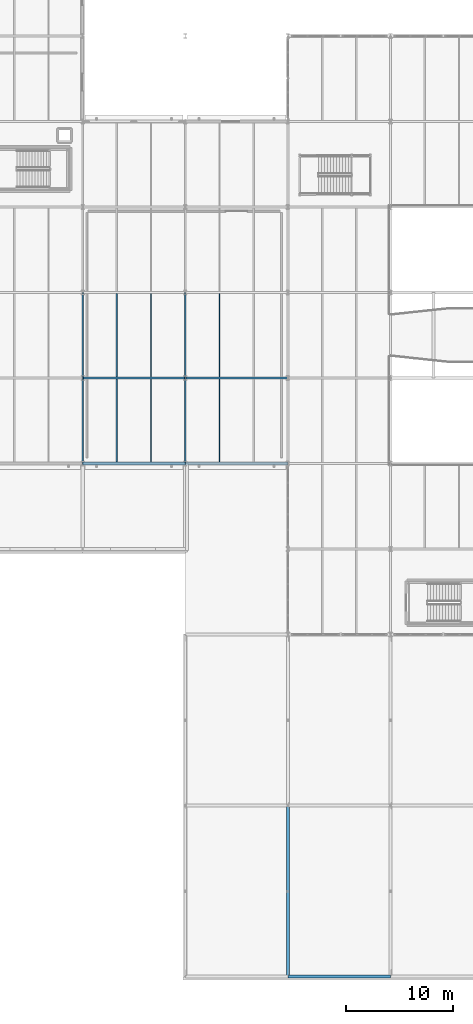
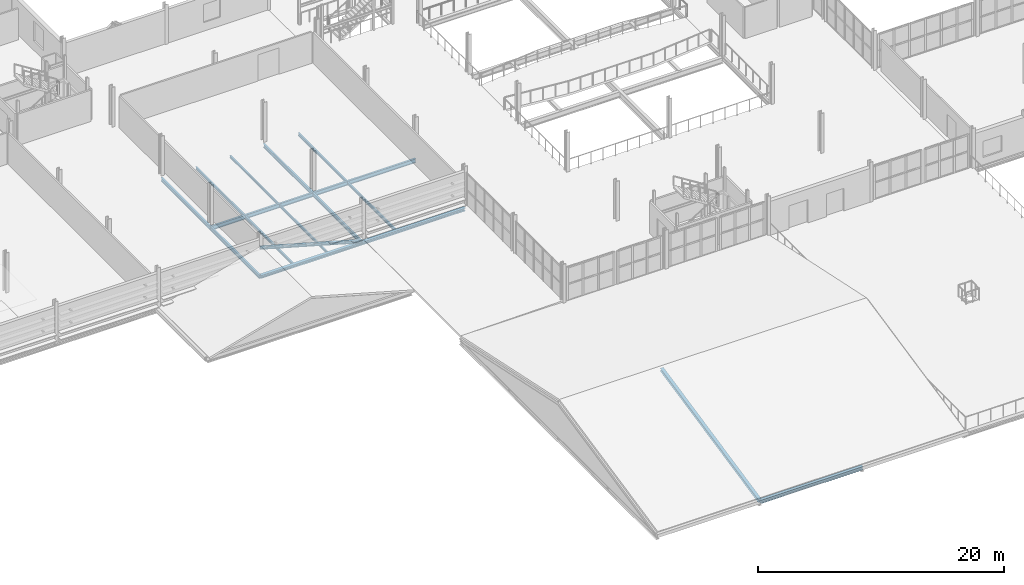
# One storey, part 30 of 85: 15 beams, 2 members.
"""IFC4 building model written with IfcOpenShell, lengths in metres."""

from ifc_helpers import new_model, si_unit, direction, frame, origin, origin_2d, place, context, subcontext, project, spatial, i_section, extrude, material, material_profile, profile_set, type_object, element, save


model = new_model("IFC4")

# Units and contexts
model_context = context("Model", 3, precision=1e-05, world=origin(), true_north=direction((0.0, 1.0)))
body_context = subcontext(model_context, "Body", "Model", "MODEL_VIEW")
ifc_project = project(units=[si_unit("LENGTHUNIT", "METRE"), si_unit("AREAUNIT", "SQUARE_METRE"), si_unit("VOLUMEUNIT", "CUBIC_METRE"), si_unit("PLANEANGLEUNIT", "RADIAN"), si_unit("MASSUNIT", "GRAM", prefix="KILO")], contexts=[model_context])

# Site, building, storey
site_placement = place(None, origin())
site = spatial("IfcSite", under=ifc_project, at=site_placement, CompositionType="ELEMENT")
building_placement = place(site_placement, origin())
building = spatial("IfcBuilding", under=site, at=building_placement, Name="Alderhovde Museum", CompositionType="ELEMENT")
storey_placement = place(building_placement, frame((0.0, 0.0, 8.699951171875)))
storey = spatial("IfcBuildingStorey", under=building, at=storey_placement, Name="L02", CompositionType="ELEMENT", Elevation=8.699951171875)

# Beams
ifc_material_1 = material(Name="Steel S355J2", Category="steel")
ifc_material_profile_1 = material_profile(ifc_material_1, i_section(OverallWidth=0.300048828125, OverallDepth=0.330078125, WebThickness=0.009521484375, FlangeThickness=0.0166015625, FilletRadius=0.027099609375, at=origin_2d()), Name="HEA 340")
ifc_profile_set_1 = profile_set([ifc_material_profile_1], Name="Steel S355J2")
beam_type_1 = type_object("IfcBeamType", Name="BM-HEA340", PredefinedType="BEAM", material=ifc_profile_set_1)
beam_1_placement = place(storey_placement, frame((76.800048828125, 0.0, -0.300048828125), z_axis=(1.0, 0.0, 0.0), x_axis=(0.0, 1.0, 0.0)))
element("IfcBeam", 1, at=beam_1_placement, inside=storey, type_object=beam_type_1, Name="Auditorium Roof Purlin Beam Y=0", PredefinedType="BEAM", context=body_context, shape_type="SweptSolid", body=[
    extrude(i_section(OverallWidth=0.300048828125, OverallDepth=0.330078125, WebThickness=0.009521484375, FlangeThickness=0.0166015625, FilletRadius=0.027099609375, at=origin_2d()), origin(), (0.0, 0.0, 1.0), 9.599853515625),
])
ifc_material_2 = material(Name="Steel S355J2", Category="steel")
ifc_material_profile_2 = material_profile(ifc_material_2, i_section(OverallWidth=0.169921875, OverallDepth=0.360107421875, WebThickness=0.008056640625, FlangeThickness=0.0126953125, FilletRadius=0.01806640625, at=origin_2d()), Name="IPE 360")
ifc_profile_set_2 = profile_set([ifc_material_profile_2], Name="Steel S355J2")
beam_type_2 = type_object("IfcBeamType", Name="BM-IPE360", PredefinedType="BEAM", material=ifc_profile_set_2)
for number, where, z_axis, x_axis, name in (
    (2, (57.60009765625, 48.0, -0.43994140625), (0.0, 1.0, 0.0), (-1.0, 0.0, 0.0), "L02 Grid Beam X=57.6 (48.0 TO 56.0)"),
    (3, (57.60009765625, 56.0, -0.43994140625), (0.0, 1.0, 0.0), (-1.0, 0.0, 0.0), "L02 Grid Beam X=57.6 (56.0 TO 64.0)"),
    (4, (67.199951171875, 48.0, -0.43994140625), (0.0, 1.0, 0.0), (-1.0, 0.0, 0.0), "L02 Grid Beam X=67.2 (48.0 TO 56.0)"),
    (5, (67.199951171875, 56.0, -0.43994140625), (0.0, 1.0, 0.0), (-1.0, 0.0, 0.0), "L02 Grid Beam X=67.2 (56.0 TO 64.0)"),
):
    element("IfcBeam", number, at=place(storey_placement, frame(where, z_axis=z_axis, x_axis=x_axis)), inside=storey, type_object=beam_type_2, Name=name, PredefinedType="BEAM", context=body_context, shape_type="SweptSolid", body=[
        extrude(i_section(OverallWidth=0.169921875, OverallDepth=0.360107421875, WebThickness=0.008056640625, FlangeThickness=0.0126953125, FilletRadius=0.01806640625, at=origin_2d()), origin(), (0.0, 0.0, 1.0), 8.0),
    ])
ifc_material_3 = material(Name="Steel S355J2", Category="steel")
ifc_material_profile_3 = material_profile(ifc_material_3, i_section(OverallWidth=0.179931640625, OverallDepth=0.39990234375, WebThickness=0.008544921875, FlangeThickness=0.013427734375, FilletRadius=0.02099609375, at=origin_2d()), Name="IPE 400")
ifc_profile_set_3 = profile_set([ifc_material_profile_3], Name="Steel S355J2")
beam_type_3 = type_object("IfcBeamType", Name="BM-IPE400", PredefinedType="BEAM", material=ifc_profile_set_3)
beam_2_placement = place(storey_placement, frame((57.60009765625, 56.0, -0.4599609375), z_axis=(1.0, 0.0, 0.0), x_axis=(0.0, 1.0, 0.0)))
element("IfcBeam", 6, at=beam_2_placement, inside=storey, type_object=beam_type_3, Name="L02 Grid Beam Y=56.0 (57.6 TO 67.2)", PredefinedType="BEAM", context=body_context, shape_type="SweptSolid", body=[
    extrude(i_section(OverallWidth=0.179931640625, OverallDepth=0.39990234375, WebThickness=0.008544921875, FlangeThickness=0.013427734375, FilletRadius=0.02099609375, at=origin_2d()), origin(), (0.0, 0.0, 1.0), 9.599853515625),
])
beam_3_placement = place(storey_placement, frame((67.199951171875, 56.0, -0.4599609375), z_axis=(1.0, 0.0, 0.0), x_axis=(0.0, 1.0, 0.0)))
element("IfcBeam", 7, at=beam_3_placement, inside=storey, type_object=beam_type_3, Name="L02 Grid Beam Y=56.0 (67.2 TO 76.8)", PredefinedType="BEAM", context=body_context, shape_type="SweptSolid", body=[
    extrude(i_section(OverallWidth=0.179931640625, OverallDepth=0.39990234375, WebThickness=0.008544921875, FlangeThickness=0.013427734375, FilletRadius=0.02099609375, at=origin_2d()), origin(), (0.0, 0.0, 1.0), 9.60009765625),
])
ifc_material_4 = material(Name="Steel S355J2", Category="steel")
ifc_material_profile_4 = material_profile(ifc_material_4, i_section(OverallWidth=0.1201171875, OverallDepth=0.239990234375, WebThickness=0.006103515625, FlangeThickness=0.009765625, FilletRadius=0.014892578125, at=origin_2d()), Name="IPE 240")
ifc_profile_set_4 = profile_set([ifc_material_profile_4], Name="Steel S355J2")
beam_type_4 = type_object("IfcBeamType", Name="JST-IPE240", PredefinedType="JOIST", material=ifc_profile_set_4)
beam_4_placement = place(storey_placement, frame((64.0, 48.14990234375, -0.3798828125), z_axis=(0.0, 1.0, 0.0), x_axis=(-1.0, 0.0, 0.0)))
element("IfcBeam", 8, at=beam_4_placement, inside=storey, type_object=beam_type_4, Name="L02 Composite Joist X=64.0 (48.0 TO 56.0)", PredefinedType="JOIST", context=body_context, shape_type="SweptSolid", body=[
    extrude(i_section(OverallWidth=0.1201171875, OverallDepth=0.239990234375, WebThickness=0.006103515625, FlangeThickness=0.009765625, FilletRadius=0.014892578125, at=origin_2d()), origin(), (0.0, 0.0, 1.0), 7.760009765625),
])
beam_5_placement = place(storey_placement, frame((64.0, 56.090087890625, -0.3798828125), z_axis=(0.0, 1.0, 0.0), x_axis=(-1.0, 0.0, 0.0)))
element("IfcBeam", 9, at=beam_5_placement, inside=storey, type_object=beam_type_4, Name="L02 Composite Joist X=64.0 (56.0 TO 64.0)", PredefinedType="JOIST", context=body_context, shape_type="SweptSolid", body=[
    extrude(i_section(OverallWidth=0.1201171875, OverallDepth=0.239990234375, WebThickness=0.006103515625, FlangeThickness=0.009765625, FilletRadius=0.014892578125, at=origin_2d()), origin(), (0.0, 0.0, 1.0), 7.81982421875),
])
ifc_material_5 = material(Name="Steel S355J2", Category="steel")
ifc_material_profile_5 = material_profile(ifc_material_5, i_section(OverallWidth=0.135009765625, OverallDepth=0.27001953125, WebThickness=0.006591796875, FlangeThickness=0.01025390625, FilletRadius=0.014892578125, at=origin_2d()), Name="IPE 270")
ifc_profile_set_5 = profile_set([ifc_material_profile_5], Name="Steel S355J2")
beam_type_5 = type_object("IfcBeamType", Name="JST-IPE270", PredefinedType="JOIST", material=ifc_profile_set_5)
beam_6_placement = place(storey_placement, frame((60.800048828125, 48.14990234375, -0.39501953125), z_axis=(0.0, 1.0, 0.0), x_axis=(-1.0, 0.0, 0.0)))
element("IfcBeam", 10, at=beam_6_placement, inside=storey, type_object=beam_type_5, Name="L02 Composite Joist X=60.8 (48.0 TO 56.0)", PredefinedType="JOIST", context=body_context, shape_type="SweptSolid", body=[
    extrude(i_section(OverallWidth=0.135009765625, OverallDepth=0.27001953125, WebThickness=0.006591796875, FlangeThickness=0.01025390625, FilletRadius=0.014892578125, at=origin_2d()), origin(), (0.0, 0.0, 1.0), 7.760009765625),
])
beam_7_placement = place(storey_placement, frame((60.800048828125, 56.090087890625, -0.39501953125), z_axis=(0.0, 1.0, 0.0), x_axis=(-1.0, 0.0, 0.0)))
element("IfcBeam", 11, at=beam_7_placement, inside=storey, type_object=beam_type_5, Name="L02 Composite Joist X=60.8 (56.0 TO 64.0)", PredefinedType="JOIST", context=body_context, shape_type="SweptSolid", body=[
    extrude(i_section(OverallWidth=0.135009765625, OverallDepth=0.27001953125, WebThickness=0.006591796875, FlangeThickness=0.01025390625, FilletRadius=0.014892578125, at=origin_2d()), origin(), (0.0, 0.0, 1.0), 7.81982421875),
])
beam_8_placement = place(storey_placement, frame((70.39990234375, 48.14990234375, -0.39501953125), z_axis=(0.0, 1.0, 0.0), x_axis=(-1.0, 0.0, 0.0)))
element("IfcBeam", 12, at=beam_8_placement, inside=storey, type_object=beam_type_5, Name="L02 Composite Joist X=70.4 (48.0 TO 56.0)", PredefinedType="JOIST", context=body_context, shape_type="SweptSolid", body=[
    extrude(i_section(OverallWidth=0.135009765625, OverallDepth=0.27001953125, WebThickness=0.006591796875, FlangeThickness=0.01025390625, FilletRadius=0.014892578125, at=origin_2d()), origin(), (0.0, 0.0, 1.0), 7.760009765625),
])
beam_9_placement = place(storey_placement, frame((70.39990234375, 56.090087890625, -0.39501953125), z_axis=(0.0, 1.0, 0.0), x_axis=(-1.0, 0.0, 0.0)))
element("IfcBeam", 13, at=beam_9_placement, inside=storey, type_object=beam_type_5, Name="L02 Composite Joist X=70.4 (56.0 TO 64.0)", PredefinedType="JOIST", context=body_context, shape_type="SweptSolid", body=[
    extrude(i_section(OverallWidth=0.135009765625, OverallDepth=0.27001953125, WebThickness=0.006591796875, FlangeThickness=0.01025390625, FilletRadius=0.014892578125, at=origin_2d()), origin(), (0.0, 0.0, 1.0), 7.81982421875),
])
ifc_material_6 = material(Name="Steel S355J2", Category="steel")
ifc_material_profile_6 = material_profile(ifc_material_6, i_section(OverallWidth=0.300048828125, OverallDepth=0.2900390625, WebThickness=0.008544921875, FlangeThickness=0.013916015625, FilletRadius=0.027099609375, at=origin_2d()), Name="HEA 300")
ifc_profile_set_6 = profile_set([ifc_material_profile_6], Name="Steel S355J2")
beam_type_6 = type_object("IfcBeamType", Name="SPD-HEA300", PredefinedType="SPANDREL", material=ifc_profile_set_6)
beam_10_placement = place(storey_placement, frame((57.60009765625, 48.0, -0.405029296875), z_axis=(1.0, 0.0, 0.0), x_axis=(0.0, 1.0, 0.0)))
element("IfcBeam", 14, at=beam_10_placement, inside=storey, type_object=beam_type_6, Name="L02 Grid Beam Y=48.0 (57.6 TO 67.2)", PredefinedType="SPANDREL", context=body_context, shape_type="SweptSolid", body=[
    extrude(i_section(OverallWidth=0.300048828125, OverallDepth=0.2900390625, WebThickness=0.008544921875, FlangeThickness=0.013916015625, FilletRadius=0.027099609375, at=origin_2d()), origin(), (0.0, 0.0, 1.0), 9.599853515625),
])
beam_11_placement = place(storey_placement, frame((67.199951171875, 48.0, -0.405029296875), z_axis=(1.0, 0.0, 0.0), x_axis=(0.0, 1.0, 0.0)))
element("IfcBeam", 15, at=beam_11_placement, inside=storey, type_object=beam_type_6, Name="L02 Grid Beam Y=48.0 (67.2 TO 76.8)", PredefinedType="SPANDREL", context=body_context, shape_type="SweptSolid", body=[
    extrude(i_section(OverallWidth=0.300048828125, OverallDepth=0.2900390625, WebThickness=0.008544921875, FlangeThickness=0.013916015625, FilletRadius=0.027099609375, at=origin_2d()), origin(), (0.0, 0.0, 1.0), 9.60009765625),
])

# Members
ifc_material_7 = material(Name="Steel S355J2", Category="steel")
ifc_material_profile_7 = material_profile(ifc_material_7, i_section(OverallWidth=0.260009765625, OverallDepth=0.25, WebThickness=0.007568359375, FlangeThickness=0.012451171875, FilletRadius=0.02392578125, at=origin_2d()), Name="HEA 260")
ifc_profile_set_7 = profile_set([ifc_material_profile_7], Name="Steel S355J2")
member_type_1 = type_object("IfcMemberType", Name="TR-CH-HEA260", PredefinedType="CHORD", material=ifc_profile_set_7)
member_1_placement = place(storey_placement, frame((67.199951171875, 48.0, -0.260009765625), z_axis=(-0.962389149757, 0.0, 0.271674666522), x_axis=(0.0, -1.0, 0.0)))
element("IfcMember", 16, at=member_1_placement, inside=storey, type_object=member_type_1, Name="Portico Pediment East Rafter Y=48", PredefinedType="CHORD", context=body_context, shape_type="SweptSolid", body=[
    extrude(i_section(OverallWidth=0.260009765625, OverallDepth=0.25, WebThickness=0.007568359375, FlangeThickness=0.012451171875, FilletRadius=0.02392578125, at=origin_2d()), origin(), (0.0, 0.0, 1.0), 9.97509765625),
])
ifc_material_8 = material(Name="Steel S355J2", Category="steel")
ifc_material_profile_8 = material_profile(ifc_material_8, i_section(OverallWidth=0.300048828125, OverallDepth=0.2900390625, WebThickness=0.008544921875, FlangeThickness=0.013916015625, FilletRadius=0.027099609375, at=origin_2d()), Name="HEA 300")
ifc_profile_set_8 = profile_set([ifc_material_profile_8], Name="Steel S355J2")
member_type_2 = type_object("IfcMemberType", Name="TR-CH-HEA300", PredefinedType="CHORD", material=ifc_profile_set_8)
member_2_placement = place(storey_placement, frame((76.800048828125, 0.0, -0.300048828125), z_axis=(0.0, 0.9781570301, 0.207867324191), x_axis=(-1.0, 0.0, 0.0)))
element("IfcMember", 17, at=member_2_placement, inside=storey, type_object=member_type_2, Name="Auditorium Roof Truss X=76.8 South Rafter", PredefinedType="CHORD", context=body_context, shape_type="SweptSolid", body=[
    extrude(i_section(OverallWidth=0.300048828125, OverallDepth=0.2900390625, WebThickness=0.008544921875, FlangeThickness=0.013916015625, FilletRadius=0.027099609375, at=origin_2d()), origin(), (0.0, 0.0, 1.0), 16.357177734375),
])

save(model, "model.ifc")
